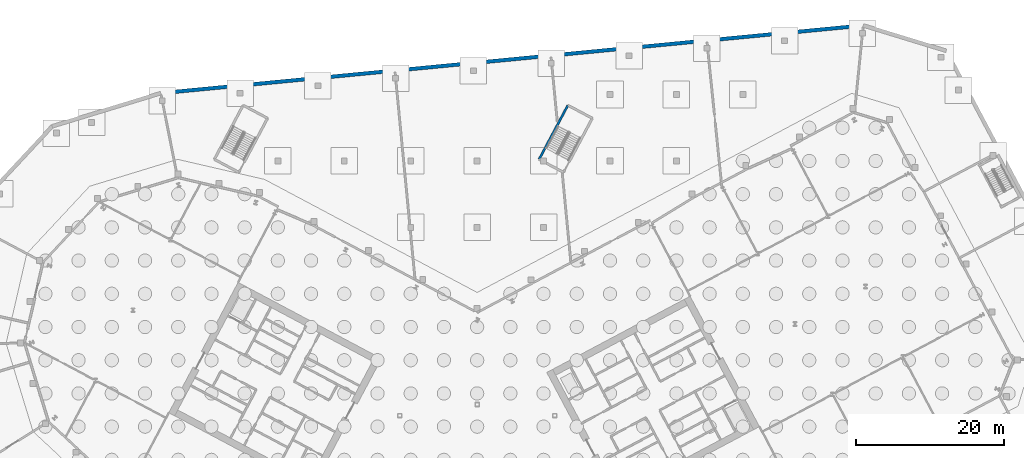
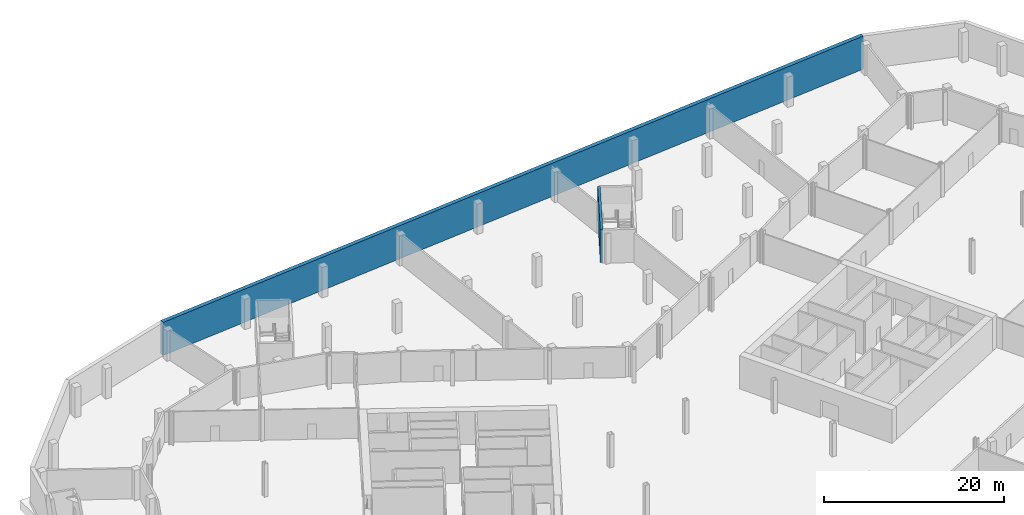
# One storey, part 18 of 29: 2 walls.
"""IFC4 building model written with IfcOpenShell, lengths in metres."""

from ifc_helpers import new_model, si_unit, direction, frame, frame_2d, origin, place, context, subcontext, project, spatial, rectangle, extrude, material, layer, layer_set, type_object, element, save


model = new_model("IFC4")

# Units and contexts
model_context = context("Model", 3, precision=1e-05, world=origin(), true_north=direction((0.0, 1.0)))
body_context = subcontext(model_context, "Body", "Model", "MODEL_VIEW")
ifc_project = project(units=[si_unit("LENGTHUNIT", "METRE"), si_unit("AREAUNIT", "SQUARE_METRE"), si_unit("VOLUMEUNIT", "CUBIC_METRE"), si_unit("PLANEANGLEUNIT", "RADIAN"), si_unit("MASSUNIT", "GRAM", prefix="KILO")], contexts=[model_context])

# Site, building, storey
site_placement = place(None, origin())
site = spatial("IfcSite", under=ifc_project, at=site_placement, CompositionType="ELEMENT")
building_placement = place(site_placement, origin())
building = spatial("IfcBuilding", under=site, at=building_placement, Name="Cormorant Relay Tower", CompositionType="ELEMENT")
storey_placement = place(building_placement, frame((0.0, 0.0, -9.0)))
storey = spatial("IfcBuildingStorey", under=building, at=storey_placement, Name="B2", CompositionType="ELEMENT", Elevation=-9.0)

# Walls
ifc_material_1 = material(Name="Concrete 50 MPa", Category="concrete")
ifc_layer_1 = layer(ifc_material_1, 0.300048828125)
ifc_layer_set_1 = layer_set([ifc_layer_1], Name="Remote stair wall 300")
wall_type_1 = type_object("IfcWallType", Name="Remote stair wall 300", PredefinedType="SHEAR", material=ifc_layer_set_1)
wall_1_placement = place(storey_placement, frame((8.396240234375, 45.216064453125, 0.0), z_axis=(0.0, 0.0, 1.0), x_axis=(0.469464178475, 0.882951519127, 0.0)))
element("IfcWall", 1, at=wall_1_placement, inside=storey, type_object=wall_type_1, Name="B2 exit stair RN1 wall", PredefinedType="SHEAR", context=body_context, shape_type="SweptSolid", body=[
    extrude(rectangle(XDim=8.2998046875, YDim=0.300048828125, at=frame_2d((4.14990234375, 0.0))), origin(), (0.0, 0.0, 1.0), 4.5),
])
ifc_material_2 = material(Name="Concrete 40 MPa", Category="concrete")
ifc_layer_2 = layer(ifc_material_2, 0.5)
ifc_layer_set_2 = layer_set([ifc_layer_2], Name="Retaining wall 500")
wall_type_2 = type_object("IfcWallType", Name="Retaining wall 500", PredefinedType="SOLIDWALL", material=ifc_layer_set_2)
wall_2_placement = place(storey_placement, frame((52.315185546875, 63.36279296875, 0.0), z_axis=(0.0, 0.0, 1.0), x_axis=(-0.995387233017, -0.095938815644, 0.0)))
element("IfcWall", 2, at=wall_2_placement, inside=storey, type_object=wall_type_2, Name="Retaining wall", PredefinedType="SOLIDWALL", context=body_context, shape_type="SweptSolid", body=[
    extrude(rectangle(XDim=95.624267578125, YDim=0.5, at=frame_2d((47.81201171875, 0.0))), origin(), (0.0, 0.0, 1.0), 4.5),
])

save(model, "model.ifc")
